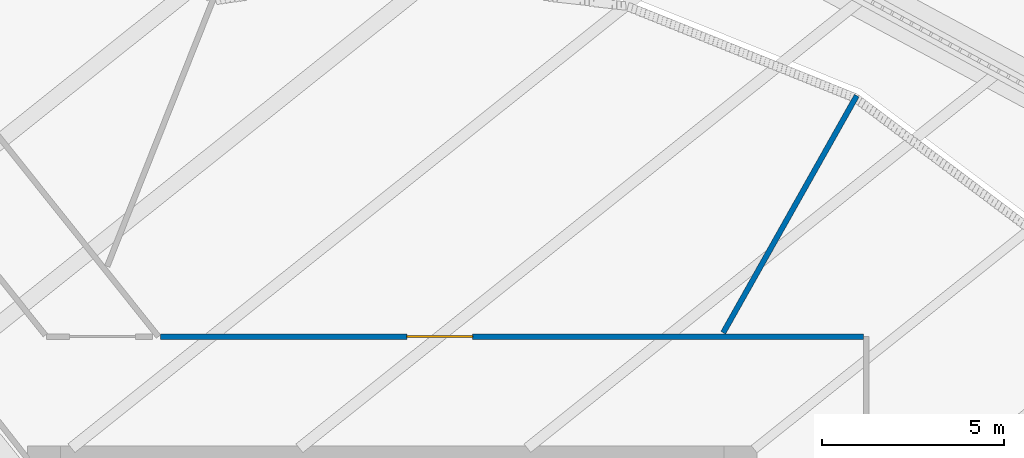
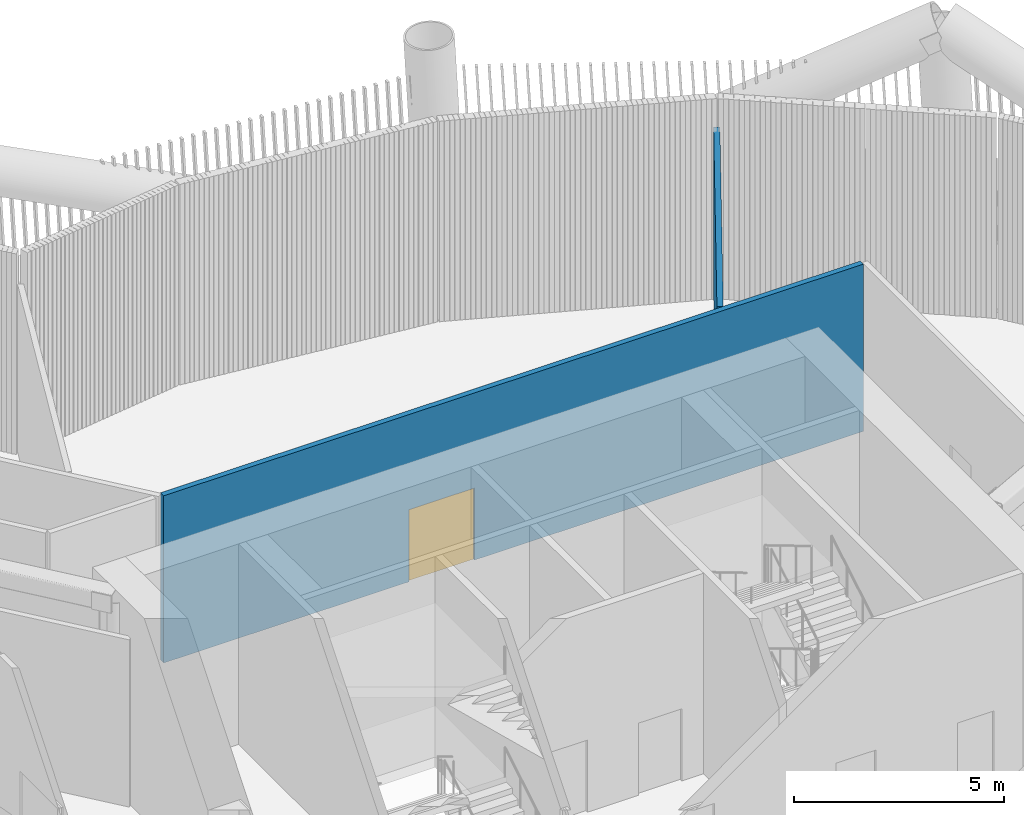
# One storey, part 18 of 48: 2 walls, 1 door, 1 opening.
"""IFC4 building model written with IfcOpenShell, lengths in metres."""

from ifc_helpers import new_model, si_unit, direction, frame, frame_2d, origin, place, context, subcontext, project, spatial, rectangle, extrude, material, layer, layer_set, type_object, element, fill, save


model = new_model("IFC4")

# Units and contexts
model_context = context("Model", 3, precision=1e-05, world=origin(), true_north=direction((0.0, 1.0)))
body_context = subcontext(model_context, "Body", "Model", "MODEL_VIEW")
ifc_project = project(units=[si_unit("LENGTHUNIT", "METRE"), si_unit("AREAUNIT", "SQUARE_METRE"), si_unit("VOLUMEUNIT", "CUBIC_METRE"), si_unit("PLANEANGLEUNIT", "RADIAN"), si_unit("MASSUNIT", "GRAM", prefix="KILO")], contexts=[model_context])

# Site, building, storey
site_placement = place(None, origin())
site = spatial("IfcSite", under=ifc_project, at=site_placement, CompositionType="ELEMENT")
building_placement = place(site_placement, origin())
building = spatial("IfcBuilding", under=site, at=building_placement, Name="Tarsis Ring Headquarters", CompositionType="ELEMENT")
storey_placement = place(building_placement, frame((0.0, 0.0, 34.0)))
storey = spatial("IfcBuildingStorey", under=building, at=storey_placement, Name="L06", CompositionType="ELEMENT", Elevation=34.0)

# Wall, opening, door
ifc_material_1 = material(Name="Gypsum board on steel studs", Category="steel")
ifc_layer = layer(ifc_material_1, 0.14990234375)
ifc_layer_set = layer_set([ifc_layer], Name="FL partition 150 EI 120 H4870")
wall_type = type_object("IfcWallType", Name="FL partition 150 EI 120 H4870", PredefinedType="PARTITIONING", material=ifc_layer_set)
wall_1_placement = place(storey_placement, frame((-6.3544921875, 16.0, 0.0), z_axis=(0.0, 0.0, 1.0), x_axis=(1.0, 0.0, 0.0)))
wall_1 = element("IfcWall", 1, at=wall_1_placement, inside=storey, type_object=wall_type, Name="Partition PW2H487", PredefinedType="PARTITIONING", context=body_context, shape_type="SweptSolid", body=[
    extrude(rectangle(XDim=19.2744140625, YDim=0.14990234375, at=frame_2d((9.63720703125, 0.0))), origin(), (0.0, 0.0, 1.0), 4.8701171875),
])
opening_placement = place(wall_1_placement, frame((6.755859375, 0.0, 0.0)))
opening = element("IfcOpeningElement", 2, at=opening_placement, cuts=wall_1, Name="Opening D06.08", PredefinedType="OPENING", context=body_context, shape_type="SweptSolid", body=[
    extrude(rectangle(XDim=1.800048828125, YDim=2.10009765625, at=frame_2d((0.89990234375, 1.050048828125))), frame((0.0, 0.0849609375, 0.0), z_axis=(0.0, -1.0, 0.0), x_axis=(1.0, 0.0, 0.0)), (0.0, 0.0, 1.0), 0.169921875),
])
ifc_material_2 = material(Name="Fire-rated timber door leaf in steel frame", Category="steel")
door_type = type_object("IfcDoorType", Name="FL door FD120-1800", OperationType="DOUBLE_DOOR_SINGLE_SWING", PredefinedType="DOOR", material=ifc_material_2)
door_placement = place(opening_placement, origin())
door = element("IfcDoor", 3, at=door_placement, inside=storey, type_object=door_type, Name="Door D06.08", OperationType="DOUBLE_DOOR_SINGLE_SWING", OverallHeight=2.10009765625, OverallWidth=1.800048828125, PredefinedType="DOOR", context=body_context, shape_type="SweptSolid", body=[
    extrude(rectangle(XDim=1.800048828125, YDim=2.10009765625, at=frame_2d((0.89990234375, 1.050048828125))), frame((0.0, 0.02490234375, 0.0), z_axis=(0.0, -1.0, 0.0), x_axis=(1.0, 0.0, 0.0)), (0.0, 0.0, 1.0), 0.050048828125),
])
fill(opening, door)

# Wall
wall_2_placement = place(storey_placement, frame((9.074462890625, 16.1044921875, 0.0), z_axis=(0.0, 0.0, 1.0), x_axis=(0.490883955592, 0.871224966436, 0.0)))
element("IfcWall", 4, at=wall_2_placement, inside=storey, type_object=wall_type, Name="Partition PW2H487", PredefinedType="PARTITIONING", context=body_context, shape_type="SweptSolid", body=[
    extrude(rectangle(XDim=7.462646484375, YDim=0.14990234375, at=frame_2d((3.7314453125, 0.0))), origin(), (0.0, 0.0, 1.0), 4.8701171875),
])

save(model, "model.ifc")
